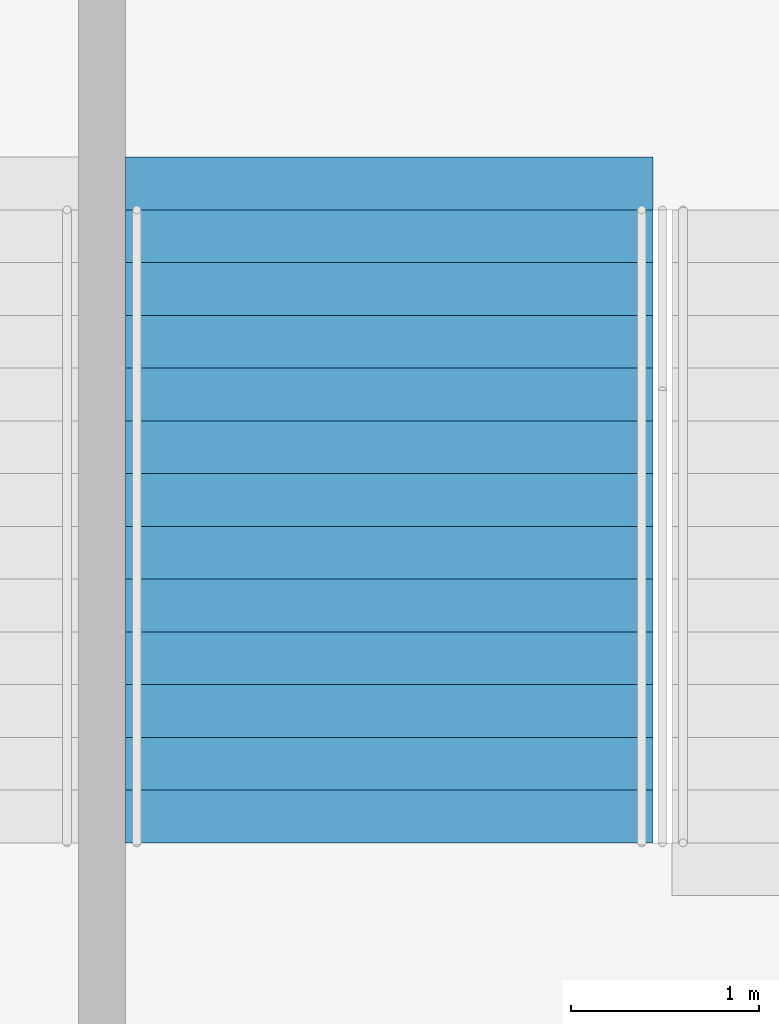
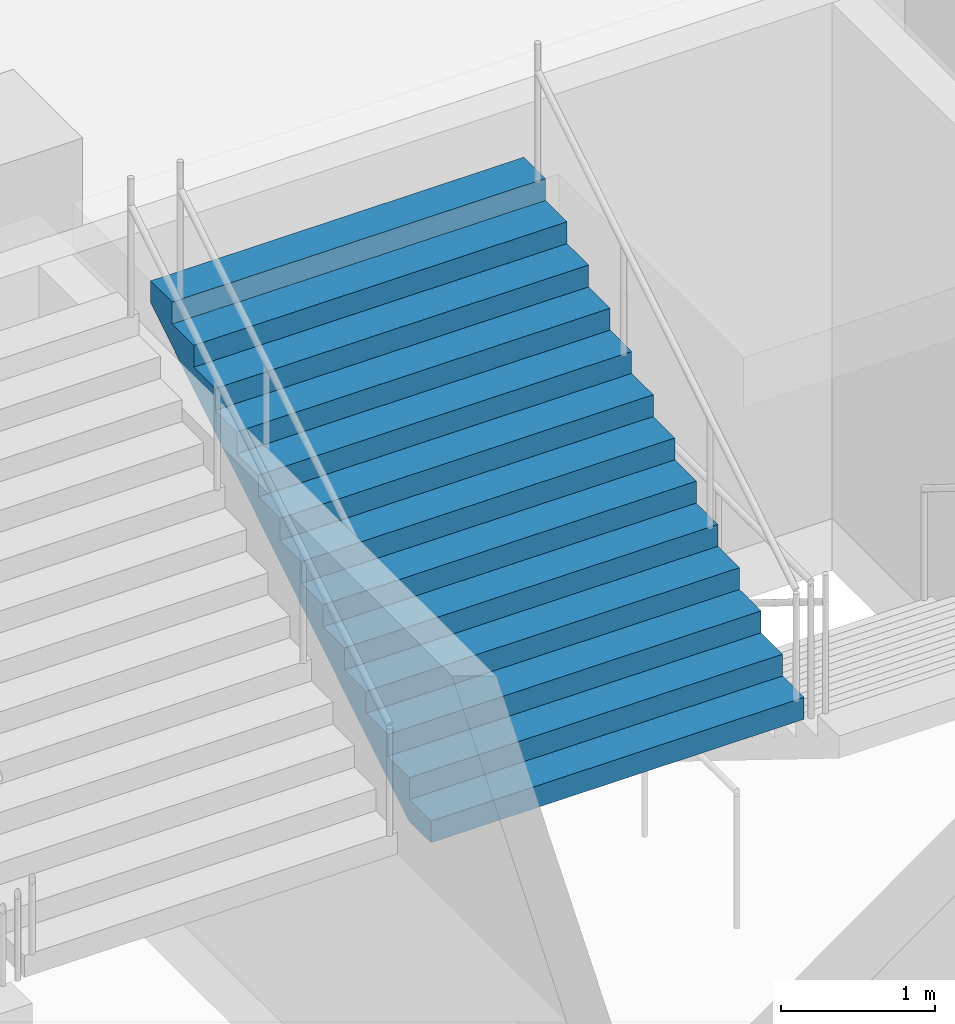
# One storey, part 126 of 199: 1 stair flight, 1 element without a shape of its own.
"""IFC4 building model written with IfcOpenShell, lengths in metres."""

from ifc_helpers import new_model, si_unit, direction, frame, origin, place, context, subcontext, project, spatial, faceted_brep, material, type_object, element, aggregate, save


model = new_model("IFC4")

# Units and contexts
model_context = context("Model", 3, precision=1e-05, world=origin(), true_north=direction((0.0, 1.0)))
body_context = subcontext(model_context, "Body", "Model", "MODEL_VIEW")
ifc_project = project(units=[si_unit("LENGTHUNIT", "METRE"), si_unit("AREAUNIT", "SQUARE_METRE"), si_unit("VOLUMEUNIT", "CUBIC_METRE"), si_unit("PLANEANGLEUNIT", "RADIAN"), si_unit("MASSUNIT", "GRAM", prefix="KILO")], contexts=[model_context])

# Site, building, storey
site_placement = place(None, origin())
site = spatial("IfcSite", under=ifc_project, at=site_placement, CompositionType="ELEMENT")
building_placement = place(site_placement, origin())
building = spatial("IfcBuilding", under=site, at=building_placement, Name="Ogive Plaza Stadium", CompositionType="ELEMENT")
storey_placement = place(building_placement, frame((0.0, 0.0, 4.5)))
storey = spatial("IfcBuildingStorey", under=building, at=storey_placement, Name="L01", CompositionType="ELEMENT", Elevation=4.5)

# Stair, stair flight
ifc_material_1 = material(Name="Concrete C40/50", Category="concrete")
stair_type = type_object("IfcStairType", Name="Exit stair", PredefinedType="STRAIGHT_RUN_STAIR", material=ifc_material_1)
stair_placement = place(storey_placement, origin())
stair = element("IfcStair", 1, at=stair_placement, inside=storey, type_object=stair_type, Name="Exit stair ST12B L01 to L02", PredefinedType="STRAIGHT_RUN_STAIR")
ifc_material_2 = material(Name="Concrete C40/50", Category="concrete")
stair_flight_type = type_object("IfcStairFlightType", Name="Exit stair flight", PredefinedType="STRAIGHT", material=ifc_material_2)
stair_flight_placement = place(storey_placement, frame((35.52490234375, -98.2099609375, 2.25), z_axis=(0.0, 0.0, 1.0), x_axis=(0.0, 1.0, 0.0)))
stair_flight = element("IfcStairFlight", 2, at=stair_flight_placement, type_object=stair_flight_type, Name="ST12B flight 2", NumberOfRisers=13, NumberOfTreads=12, PredefinedType="STRAIGHT", RiserHeight=0.173076923, TreadLength=0.28, context=body_context, shape_type="Brep", body=[
    faceted_brep([(0.28515625, -1.39990234375, 0.0), (3.639892578125, -1.39990234375, 2.07373046875), (3.639892578125, -1.39990234375, 2.25), (3.360107421875, -1.39990234375, 2.25), (3.360107421875, -1.39990234375, 2.076904296875), (3.080078125, -1.39990234375, 2.076904296875), (3.080078125, -1.39990234375, 1.90380859375), (2.800048828125, -1.39990234375, 1.90380859375), (2.800048828125, -1.39990234375, 1.730712890625), (2.52001953125, -1.39990234375, 1.730712890625), (2.52001953125, -1.39990234375, 1.5576171875), (2.239990234375, -1.39990234375, 1.5576171875), (2.239990234375, -1.39990234375, 1.384521484375), (1.9599609375, -1.39990234375, 1.384521484375), (1.9599609375, -1.39990234375, 1.21142578125), (1.679931640625, -1.39990234375, 1.21142578125), (1.679931640625, -1.39990234375, 1.03857421875), (1.39990234375, -1.39990234375, 1.03857421875), (1.39990234375, -1.39990234375, 0.865478515625), (1.1201171875, -1.39990234375, 0.865478515625), (1.1201171875, -1.39990234375, 0.6923828125), (0.840087890625, -1.39990234375, 0.6923828125), (0.840087890625, -1.39990234375, 0.519287109375), (0.56005859375, -1.39990234375, 0.519287109375), (0.56005859375, -1.39990234375, 0.34619140625), (0.280029296875, -1.39990234375, 0.34619140625), (0.280029296875, -1.39990234375, 0.173095703125), (0.0, -1.39990234375, 0.173095703125), (0.0, -1.39990234375, 0.0), (0.0, 1.39990234375, 0.0), (0.0, 1.39990234375, 0.173095703125), (0.280029296875, 1.39990234375, 0.173095703125), (0.280029296875, 1.39990234375, 0.34619140625), (0.56005859375, 1.39990234375, 0.34619140625), (0.56005859375, 1.39990234375, 0.519287109375), (0.840087890625, 1.39990234375, 0.519287109375), (0.840087890625, 1.39990234375, 0.6923828125), (1.1201171875, 1.39990234375, 0.6923828125), (1.1201171875, 1.39990234375, 0.865478515625), (1.39990234375, 1.39990234375, 0.865478515625), (1.39990234375, 1.39990234375, 1.03857421875), (1.679931640625, 1.39990234375, 1.03857421875), (1.679931640625, 1.39990234375, 1.21142578125), (1.9599609375, 1.39990234375, 1.21142578125), (1.9599609375, 1.39990234375, 1.384521484375), (2.239990234375, 1.39990234375, 1.384521484375), (2.239990234375, 1.39990234375, 1.5576171875), (2.52001953125, 1.39990234375, 1.5576171875), (2.52001953125, 1.39990234375, 1.730712890625), (2.800048828125, 1.39990234375, 1.730712890625), (2.800048828125, 1.39990234375, 1.90380859375), (3.080078125, 1.39990234375, 1.90380859375), (3.080078125, 1.39990234375, 2.076904296875), (3.360107421875, 1.39990234375, 2.076904296875), (3.360107421875, 1.39990234375, 2.25), (3.639892578125, 1.39990234375, 2.25), (3.639892578125, 1.39990234375, 2.07373046875), (0.28515625, 1.39990234375, 0.0), (0.28515625, -1.0888671875, 0.0), (3.639892578125, -1.0888671875, 2.07373046875), (0.28515625, -0.77783203125, 0.0), (3.639892578125, -0.77783203125, 2.07373046875), (0.28515625, -0.466796875, 0.0), (3.639892578125, -0.466796875, 2.07373046875), (0.28515625, -0.155517578125, 0.0), (3.639892578125, -0.155517578125, 2.07373046875), (0.28515625, 0.155517578125, 0.0), (3.639892578125, 0.155517578125, 2.07373046875), (0.28515625, 0.466796875, 0.0), (3.639892578125, 0.466796875, 2.07373046875), (0.28515625, 0.77783203125, 0.0), (3.639892578125, 0.77783203125, 2.07373046875), (0.28515625, 1.0888671875, 0.0), (3.639892578125, 1.0888671875, 2.07373046875), (3.639892578125, -1.0888671875, 2.25), (3.639892578125, -0.77783203125, 2.25), (3.639892578125, -0.466796875, 2.25), (3.639892578125, -0.155517578125, 2.25), (3.639892578125, 0.155517578125, 2.25), (3.639892578125, 0.466796875, 2.25), (3.639892578125, 0.77783203125, 2.25), (3.639892578125, 1.0888671875, 2.25), (3.360107421875, -1.0888671875, 2.25), (3.360107421875, -0.77783203125, 2.25), (3.360107421875, -0.466796875, 2.25), (3.360107421875, -0.155517578125, 2.25), (3.360107421875, 0.155517578125, 2.25), (3.360107421875, 0.466796875, 2.25), (3.360107421875, 0.77783203125, 2.25), (3.360107421875, 1.0888671875, 2.25), (3.360107421875, -1.0888671875, 2.076904296875), (3.360107421875, -0.77783203125, 2.076904296875), (3.360107421875, -0.466796875, 2.076904296875), (3.360107421875, -0.155517578125, 2.076904296875), (3.360107421875, 0.155517578125, 2.076904296875), (3.360107421875, 0.466796875, 2.076904296875), (3.360107421875, 0.77783203125, 2.076904296875), (3.360107421875, 1.0888671875, 2.076904296875), (3.080078125, -1.0888671875, 2.076904296875), (3.080078125, -0.77783203125, 2.076904296875), (3.080078125, -0.466796875, 2.076904296875), (3.080078125, -0.155517578125, 2.076904296875), (3.080078125, 0.155517578125, 2.076904296875), (3.080078125, 0.466796875, 2.076904296875), (3.080078125, 0.77783203125, 2.076904296875), (3.080078125, 1.0888671875, 2.076904296875), (3.080078125, -1.0888671875, 1.90380859375), (3.080078125, -0.77783203125, 1.90380859375), (3.080078125, -0.466796875, 1.90380859375), (3.080078125, -0.155517578125, 1.90380859375), (3.080078125, 0.155517578125, 1.90380859375), (3.080078125, 0.466796875, 1.90380859375), (3.080078125, 0.77783203125, 1.90380859375), (3.080078125, 1.0888671875, 1.90380859375), (2.800048828125, -1.0888671875, 1.90380859375), (2.800048828125, -0.77783203125, 1.90380859375), (2.800048828125, -0.466796875, 1.90380859375), (2.800048828125, -0.155517578125, 1.90380859375), (2.800048828125, 0.155517578125, 1.90380859375), (2.800048828125, 0.466796875, 1.90380859375), (2.800048828125, 0.77783203125, 1.90380859375), (2.800048828125, 1.0888671875, 1.90380859375), (2.800048828125, -1.0888671875, 1.730712890625), (2.800048828125, -0.77783203125, 1.730712890625), (2.800048828125, -0.466796875, 1.730712890625), (2.800048828125, -0.155517578125, 1.730712890625), (2.800048828125, 0.155517578125, 1.730712890625), (2.800048828125, 0.466796875, 1.730712890625), (2.800048828125, 0.77783203125, 1.730712890625), (2.800048828125, 1.0888671875, 1.730712890625), (2.52001953125, -1.0888671875, 1.730712890625), (2.52001953125, -0.77783203125, 1.730712890625), (2.52001953125, -0.466796875, 1.730712890625), (2.52001953125, -0.155517578125, 1.730712890625), (2.52001953125, 0.155517578125, 1.730712890625), (2.52001953125, 0.466796875, 1.730712890625), (2.52001953125, 0.77783203125, 1.730712890625), (2.52001953125, 1.0888671875, 1.730712890625), (2.52001953125, -1.0888671875, 1.5576171875), (2.52001953125, -0.77783203125, 1.5576171875), (2.52001953125, -0.466796875, 1.5576171875), (2.52001953125, -0.155517578125, 1.5576171875), (2.52001953125, 0.155517578125, 1.5576171875), (2.52001953125, 0.466796875, 1.5576171875), (2.52001953125, 0.77783203125, 1.5576171875), (2.52001953125, 1.0888671875, 1.5576171875), (2.239990234375, -1.0888671875, 1.5576171875), (2.239990234375, -0.77783203125, 1.5576171875), (2.239990234375, -0.466796875, 1.5576171875), (2.239990234375, -0.155517578125, 1.5576171875), (2.239990234375, 0.155517578125, 1.5576171875), (2.239990234375, 0.466796875, 1.5576171875), (2.239990234375, 0.77783203125, 1.5576171875), (2.239990234375, 1.0888671875, 1.5576171875), (2.239990234375, -1.0888671875, 1.384521484375), (2.239990234375, -0.77783203125, 1.384521484375), (2.239990234375, -0.466796875, 1.384521484375), (2.239990234375, -0.155517578125, 1.384521484375), (2.239990234375, 0.155517578125, 1.384521484375), (2.239990234375, 0.466796875, 1.384521484375), (2.239990234375, 0.77783203125, 1.384521484375), (2.239990234375, 1.0888671875, 1.384521484375), (1.9599609375, -1.0888671875, 1.384521484375), (1.9599609375, -0.77783203125, 1.384521484375), (1.9599609375, -0.466796875, 1.384521484375), (1.9599609375, -0.155517578125, 1.384521484375), (1.9599609375, 0.155517578125, 1.384521484375), (1.9599609375, 0.466796875, 1.384521484375), (1.9599609375, 0.77783203125, 1.384521484375), (1.9599609375, 1.0888671875, 1.384521484375), (1.9599609375, -1.0888671875, 1.21142578125), (1.9599609375, -0.77783203125, 1.21142578125), (1.9599609375, -0.466796875, 1.21142578125), (1.9599609375, -0.155517578125, 1.21142578125), (1.9599609375, 0.155517578125, 1.21142578125), (1.9599609375, 0.466796875, 1.21142578125), (1.9599609375, 0.77783203125, 1.21142578125), (1.9599609375, 1.0888671875, 1.21142578125), (1.679931640625, -1.0888671875, 1.21142578125), (1.679931640625, -0.77783203125, 1.21142578125), (1.679931640625, -0.466796875, 1.21142578125), (1.679931640625, -0.155517578125, 1.21142578125), (1.679931640625, 0.155517578125, 1.21142578125), (1.679931640625, 0.466796875, 1.21142578125), (1.679931640625, 0.77783203125, 1.21142578125), (1.679931640625, 1.0888671875, 1.21142578125), (1.679931640625, -1.0888671875, 1.03857421875), (1.679931640625, -0.77783203125, 1.03857421875), (1.679931640625, -0.466796875, 1.03857421875), (1.679931640625, -0.155517578125, 1.03857421875), (1.679931640625, 0.155517578125, 1.03857421875), (1.679931640625, 0.466796875, 1.03857421875), (1.679931640625, 0.77783203125, 1.03857421875), (1.679931640625, 1.0888671875, 1.03857421875), (1.39990234375, -1.0888671875, 1.03857421875), (1.39990234375, -0.77783203125, 1.03857421875), (1.39990234375, -0.466796875, 1.03857421875), (1.39990234375, -0.155517578125, 1.03857421875), (1.39990234375, 0.155517578125, 1.03857421875), (1.39990234375, 0.466796875, 1.03857421875), (1.39990234375, 0.77783203125, 1.03857421875), (1.39990234375, 1.0888671875, 1.03857421875), (1.39990234375, -1.0888671875, 0.865478515625), (1.39990234375, -0.77783203125, 0.865478515625), (1.39990234375, -0.466796875, 0.865478515625), (1.39990234375, -0.155517578125, 0.865478515625), (1.39990234375, 0.155517578125, 0.865478515625), (1.39990234375, 0.466796875, 0.865478515625), (1.39990234375, 0.77783203125, 0.865478515625), (1.39990234375, 1.0888671875, 0.865478515625), (1.1201171875, -1.0888671875, 0.865478515625), (1.1201171875, -0.77783203125, 0.865478515625), (1.1201171875, -0.466796875, 0.865478515625), (1.1201171875, -0.155517578125, 0.865478515625), (1.1201171875, 0.155517578125, 0.865478515625), (1.1201171875, 0.466796875, 0.865478515625), (1.1201171875, 0.77783203125, 0.865478515625), (1.1201171875, 1.0888671875, 0.865478515625), (1.1201171875, -1.0888671875, 0.6923828125), (1.1201171875, -0.77783203125, 0.6923828125), (1.1201171875, -0.466796875, 0.6923828125), (1.1201171875, -0.155517578125, 0.6923828125), (1.1201171875, 0.155517578125, 0.6923828125), (1.1201171875, 0.466796875, 0.6923828125), (1.1201171875, 0.77783203125, 0.6923828125), (1.1201171875, 1.0888671875, 0.6923828125), (0.840087890625, -1.0888671875, 0.6923828125), (0.840087890625, -0.77783203125, 0.6923828125), (0.840087890625, -0.466796875, 0.6923828125), (0.840087890625, -0.155517578125, 0.6923828125), (0.840087890625, 0.155517578125, 0.6923828125), (0.840087890625, 0.466796875, 0.6923828125), (0.840087890625, 0.77783203125, 0.6923828125), (0.840087890625, 1.0888671875, 0.6923828125), (0.840087890625, -1.0888671875, 0.519287109375), (0.840087890625, -0.77783203125, 0.519287109375), (0.840087890625, -0.466796875, 0.519287109375), (0.840087890625, -0.155517578125, 0.519287109375), (0.840087890625, 0.155517578125, 0.519287109375), (0.840087890625, 0.466796875, 0.519287109375), (0.840087890625, 0.77783203125, 0.519287109375), (0.840087890625, 1.0888671875, 0.519287109375), (0.56005859375, -1.0888671875, 0.519287109375), (0.56005859375, -0.77783203125, 0.519287109375), (0.56005859375, -0.466796875, 0.519287109375), (0.56005859375, -0.155517578125, 0.519287109375), (0.56005859375, 0.155517578125, 0.519287109375), (0.56005859375, 0.466796875, 0.519287109375), (0.56005859375, 0.77783203125, 0.519287109375), (0.56005859375, 1.0888671875, 0.519287109375), (0.56005859375, -1.0888671875, 0.34619140625), (0.56005859375, -0.77783203125, 0.34619140625), (0.56005859375, -0.466796875, 0.34619140625), (0.56005859375, -0.155517578125, 0.34619140625), (0.56005859375, 0.155517578125, 0.34619140625), (0.56005859375, 0.466796875, 0.34619140625), (0.56005859375, 0.77783203125, 0.34619140625), (0.56005859375, 1.0888671875, 0.34619140625), (0.280029296875, -1.0888671875, 0.34619140625), (0.280029296875, -0.77783203125, 0.34619140625), (0.280029296875, -0.466796875, 0.34619140625), (0.280029296875, -0.155517578125, 0.34619140625), (0.280029296875, 0.155517578125, 0.34619140625), (0.280029296875, 0.466796875, 0.34619140625), (0.280029296875, 0.77783203125, 0.34619140625), (0.280029296875, 1.0888671875, 0.34619140625), (0.280029296875, -1.0888671875, 0.173095703125), (0.280029296875, -0.77783203125, 0.173095703125), (0.280029296875, -0.466796875, 0.173095703125), (0.280029296875, -0.155517578125, 0.173095703125), (0.280029296875, 0.155517578125, 0.173095703125), (0.280029296875, 0.466796875, 0.173095703125), (0.280029296875, 0.77783203125, 0.173095703125), (0.280029296875, 1.0888671875, 0.173095703125), (0.0, -1.0888671875, 0.173095703125), (0.0, -0.77783203125, 0.173095703125), (0.0, -0.466796875, 0.173095703125), (0.0, -0.155517578125, 0.173095703125), (0.0, 0.155517578125, 0.173095703125), (0.0, 0.466796875, 0.173095703125), (0.0, 0.77783203125, 0.173095703125), (0.0, 1.0888671875, 0.173095703125), (0.0, -1.0888671875, 0.0), (0.0, -0.77783203125, 0.0), (0.0, -0.466796875, 0.0), (0.0, -0.155517578125, 0.0), (0.0, 0.155517578125, 0.0), (0.0, 0.466796875, 0.0), (0.0, 0.77783203125, 0.0), (0.0, 1.0888671875, 0.0)], [[[0, 1, 2, 3, 4, 5, 6, 7, 8, 9, 10, 11, 12, 13, 14, 15, 16, 17, 18, 19, 20, 21, 22, 23, 24, 25, 26, 27, 28]], [[29, 30, 31, 32, 33, 34, 35, 36, 37, 38, 39, 40, 41, 42, 43, 44, 45, 46, 47, 48, 49, 50, 51, 52, 53, 54, 55, 56, 57]], [[0, 58, 59, 1]], [[58, 60, 61, 59]], [[60, 62, 63, 61]], [[62, 64, 65, 63]], [[64, 66, 67, 65]], [[66, 68, 69, 67]], [[68, 70, 71, 69]], [[70, 72, 73, 71]], [[72, 57, 56, 73]], [[1, 59, 74, 2]], [[59, 61, 75, 74]], [[61, 63, 76, 75]], [[63, 65, 77, 76]], [[65, 67, 78, 77]], [[67, 69, 79, 78]], [[69, 71, 80, 79]], [[71, 73, 81, 80]], [[73, 56, 55, 81]], [[2, 74, 82, 3]], [[74, 75, 83, 82]], [[75, 76, 84, 83]], [[76, 77, 85, 84]], [[77, 78, 86, 85]], [[78, 79, 87, 86]], [[79, 80, 88, 87]], [[80, 81, 89, 88]], [[81, 55, 54, 89]], [[3, 82, 90, 4]], [[82, 83, 91, 90]], [[83, 84, 92, 91]], [[84, 85, 93, 92]], [[85, 86, 94, 93]], [[86, 87, 95, 94]], [[87, 88, 96, 95]], [[88, 89, 97, 96]], [[89, 54, 53, 97]], [[4, 90, 98, 5]], [[90, 91, 99, 98]], [[91, 92, 100, 99]], [[92, 93, 101, 100]], [[93, 94, 102, 101]], [[94, 95, 103, 102]], [[95, 96, 104, 103]], [[96, 97, 105, 104]], [[97, 53, 52, 105]], [[5, 98, 106, 6]], [[98, 99, 107, 106]], [[99, 100, 108, 107]], [[100, 101, 109, 108]], [[101, 102, 110, 109]], [[102, 103, 111, 110]], [[103, 104, 112, 111]], [[104, 105, 113, 112]], [[105, 52, 51, 113]], [[6, 106, 114, 7]], [[106, 107, 115, 114]], [[107, 108, 116, 115]], [[108, 109, 117, 116]], [[109, 110, 118, 117]], [[110, 111, 119, 118]], [[111, 112, 120, 119]], [[112, 113, 121, 120]], [[113, 51, 50, 121]], [[7, 114, 122, 8]], [[114, 115, 123, 122]], [[115, 116, 124, 123]], [[116, 117, 125, 124]], [[117, 118, 126, 125]], [[118, 119, 127, 126]], [[119, 120, 128, 127]], [[120, 121, 129, 128]], [[121, 50, 49, 129]], [[8, 122, 130, 9]], [[122, 123, 131, 130]], [[123, 124, 132, 131]], [[124, 125, 133, 132]], [[125, 126, 134, 133]], [[126, 127, 135, 134]], [[127, 128, 136, 135]], [[128, 129, 137, 136]], [[129, 49, 48, 137]], [[9, 130, 138, 10]], [[130, 131, 139, 138]], [[131, 132, 140, 139]], [[132, 133, 141, 140]], [[133, 134, 142, 141]], [[134, 135, 143, 142]], [[135, 136, 144, 143]], [[136, 137, 145, 144]], [[137, 48, 47, 145]], [[10, 138, 146, 11]], [[138, 139, 147, 146]], [[139, 140, 148, 147]], [[140, 141, 149, 148]], [[141, 142, 150, 149]], [[142, 143, 151, 150]], [[143, 144, 152, 151]], [[144, 145, 153, 152]], [[145, 47, 46, 153]], [[11, 146, 154, 12]], [[146, 147, 155, 154]], [[147, 148, 156, 155]], [[148, 149, 157, 156]], [[149, 150, 158, 157]], [[150, 151, 159, 158]], [[151, 152, 160, 159]], [[152, 153, 161, 160]], [[153, 46, 45, 161]], [[12, 154, 162, 13]], [[154, 155, 163, 162]], [[155, 156, 164, 163]], [[156, 157, 165, 164]], [[157, 158, 166, 165]], [[158, 159, 167, 166]], [[159, 160, 168, 167]], [[160, 161, 169, 168]], [[161, 45, 44, 169]], [[13, 162, 170, 14]], [[162, 163, 171, 170]], [[163, 164, 172, 171]], [[164, 165, 173, 172]], [[165, 166, 174, 173]], [[166, 167, 175, 174]], [[167, 168, 176, 175]], [[168, 169, 177, 176]], [[169, 44, 43, 177]], [[14, 170, 178, 15]], [[170, 171, 179, 178]], [[171, 172, 180, 179]], [[172, 173, 181, 180]], [[173, 174, 182, 181]], [[174, 175, 183, 182]], [[175, 176, 184, 183]], [[176, 177, 185, 184]], [[177, 43, 42, 185]], [[15, 178, 186, 16]], [[178, 179, 187, 186]], [[179, 180, 188, 187]], [[180, 181, 189, 188]], [[181, 182, 190, 189]], [[182, 183, 191, 190]], [[183, 184, 192, 191]], [[184, 185, 193, 192]], [[185, 42, 41, 193]], [[16, 186, 194, 17]], [[186, 187, 195, 194]], [[187, 188, 196, 195]], [[188, 189, 197, 196]], [[189, 190, 198, 197]], [[190, 191, 199, 198]], [[191, 192, 200, 199]], [[192, 193, 201, 200]], [[193, 41, 40, 201]], [[17, 194, 202, 18]], [[194, 195, 203, 202]], [[195, 196, 204, 203]], [[196, 197, 205, 204]], [[197, 198, 206, 205]], [[198, 199, 207, 206]], [[199, 200, 208, 207]], [[200, 201, 209, 208]], [[201, 40, 39, 209]], [[18, 202, 210, 19]], [[202, 203, 211, 210]], [[203, 204, 212, 211]], [[204, 205, 213, 212]], [[205, 206, 214, 213]], [[206, 207, 215, 214]], [[207, 208, 216, 215]], [[208, 209, 217, 216]], [[209, 39, 38, 217]], [[19, 210, 218, 20]], [[210, 211, 219, 218]], [[211, 212, 220, 219]], [[212, 213, 221, 220]], [[213, 214, 222, 221]], [[214, 215, 223, 222]], [[215, 216, 224, 223]], [[216, 217, 225, 224]], [[217, 38, 37, 225]], [[20, 218, 226, 21]], [[218, 219, 227, 226]], [[219, 220, 228, 227]], [[220, 221, 229, 228]], [[221, 222, 230, 229]], [[222, 223, 231, 230]], [[223, 224, 232, 231]], [[224, 225, 233, 232]], [[225, 37, 36, 233]], [[21, 226, 234, 22]], [[226, 227, 235, 234]], [[227, 228, 236, 235]], [[228, 229, 237, 236]], [[229, 230, 238, 237]], [[230, 231, 239, 238]], [[231, 232, 240, 239]], [[232, 233, 241, 240]], [[233, 36, 35, 241]], [[22, 234, 242, 23]], [[234, 235, 243, 242]], [[235, 236, 244, 243]], [[236, 237, 245, 244]], [[237, 238, 246, 245]], [[238, 239, 247, 246]], [[239, 240, 248, 247]], [[240, 241, 249, 248]], [[241, 35, 34, 249]], [[23, 242, 250, 24]], [[242, 243, 251, 250]], [[243, 244, 252, 251]], [[244, 245, 253, 252]], [[245, 246, 254, 253]], [[246, 247, 255, 254]], [[247, 248, 256, 255]], [[248, 249, 257, 256]], [[249, 34, 33, 257]], [[24, 250, 258, 25]], [[250, 251, 259, 258]], [[251, 252, 260, 259]], [[252, 253, 261, 260]], [[253, 254, 262, 261]], [[254, 255, 263, 262]], [[255, 256, 264, 263]], [[256, 257, 265, 264]], [[257, 33, 32, 265]], [[25, 258, 266, 26]], [[258, 259, 267, 266]], [[259, 260, 268, 267]], [[260, 261, 269, 268]], [[261, 262, 270, 269]], [[262, 263, 271, 270]], [[263, 264, 272, 271]], [[264, 265, 273, 272]], [[265, 32, 31, 273]], [[26, 266, 274, 27]], [[266, 267, 275, 274]], [[267, 268, 276, 275]], [[268, 269, 277, 276]], [[269, 270, 278, 277]], [[270, 271, 279, 278]], [[271, 272, 280, 279]], [[272, 273, 281, 280]], [[273, 31, 30, 281]], [[27, 274, 282, 28]], [[274, 275, 283, 282]], [[275, 276, 284, 283]], [[276, 277, 285, 284]], [[277, 278, 286, 285]], [[278, 279, 287, 286]], [[279, 280, 288, 287]], [[280, 281, 289, 288]], [[281, 30, 29, 289]], [[28, 282, 58, 0]], [[282, 283, 60, 58]], [[283, 284, 62, 60]], [[284, 285, 64, 62]], [[285, 286, 66, 64]], [[286, 287, 68, 66]], [[287, 288, 70, 68]], [[288, 289, 72, 70]], [[289, 29, 57, 72]]]),
])
aggregate(stair, [stair_flight])

save(model, "model.ifc")
